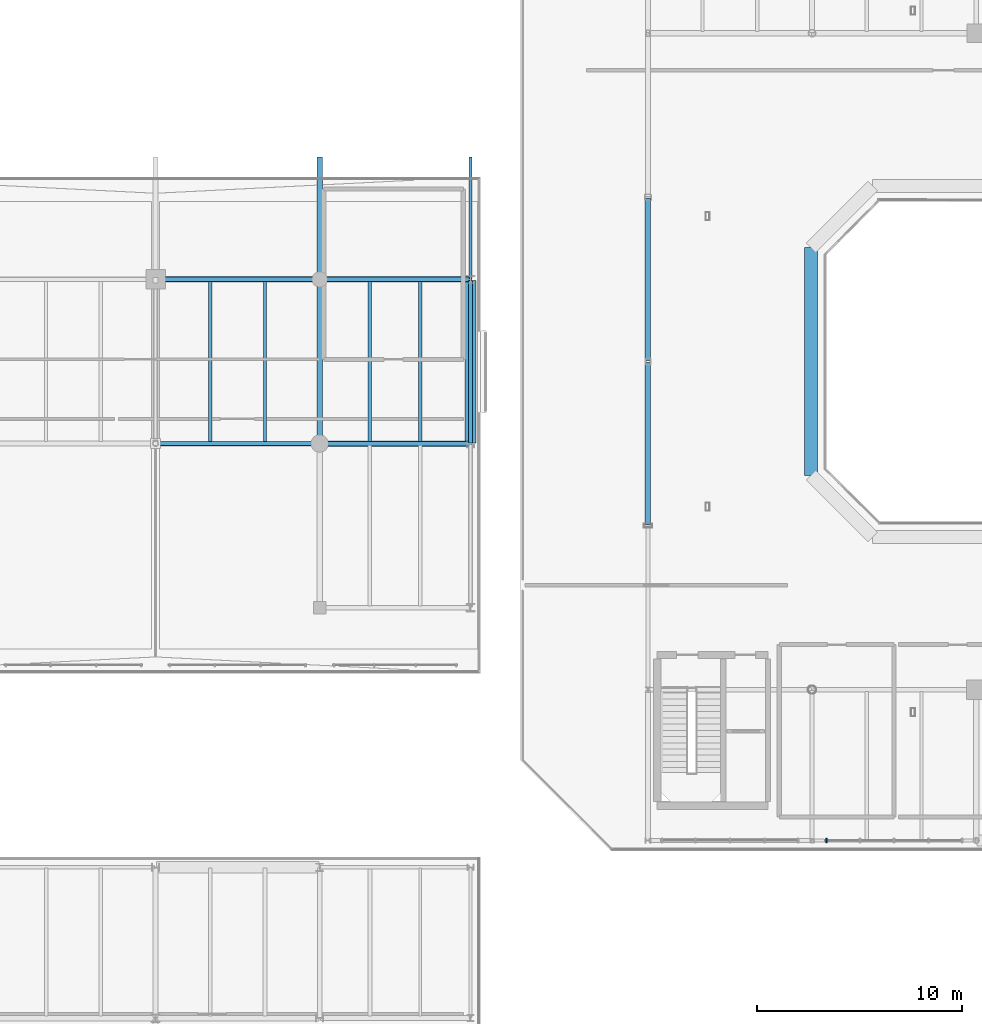
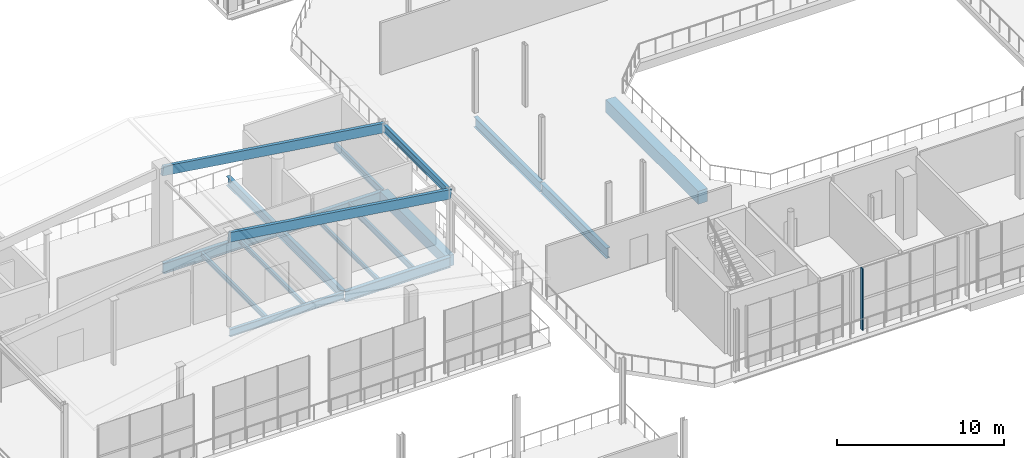
# One storey, part 27 of 70: 16 beams, 3 members, 1 element without a shape of its own.
"""IFC4 building model written with IfcOpenShell, lengths in metres."""

import ifcopenshell
import ifcopenshell.guid

model = None  # the IFC model being written
_history = None  # IfcOwnerHistory: only IFC2X3 demands one
_inside = {}  # id of a spatial element -> (the spatial element, [elements in it])
_under = {}  # id of a project, library or spatial element -> (it, [spatial elements below it])
_declared = {}  # id of a project -> (the project, [libraries it declares])
_typed = {}  # id of a type object -> (the type object, [elements of that type])
_made_of = {}  # id of a material, layer set ... -> (it, [elements and type objects made of it])


def new_model(schema):
    """Start an empty IFC model of exactly this schema.

    Asked for "IFC4X3", IfcOpenShell would pick the latest addendum, in which some entities
    have other attributes; the version numbers below select the first issue.
    IFC2X3 requires an IfcOwnerHistory on every rooted entity: one is made here for all.
    """
    global model, _history
    if schema == "IFC4X3":
        model = ifcopenshell.file(schema_version=(4, 3, 0, 0))
    else:
        model = ifcopenshell.file(schema=schema)
    _inside.clear()
    _under.clear()
    _declared.clear()
    _typed.clear()
    _made_of.clear()
    _history = None
    if model.schema == "IFC2X3":
        org = make("IfcOrganization", Name="unknown")
        user = make(
            "IfcPersonAndOrganization",
            ThePerson=make("IfcPerson", FamilyName="unknown"),
            TheOrganization=org,
        )
        app = make(
            "IfcApplication",
            ApplicationDeveloper=org,
            Version="unknown",
            ApplicationFullName="unknown",
            ApplicationIdentifier="unknown",
        )
        _history = make(
            "IfcOwnerHistory",
            OwningUser=user,
            OwningApplication=app,
            ChangeAction="ADDED",
            CreationDate=0,
        )
    return model


def make(cls, **values):
    """One entity of the class cls with the attributes given. An attribute that is None is left unset."""
    return model.create_entity(
        cls, **{name: value for name, value in values.items() if value is not None}
    )


def rooted(cls, **values):
    """An entity with a GlobalId (a new one), such as an element, a storey or a relation."""
    return make(cls, GlobalId=ifcopenshell.guid.new(), OwnerHistory=_history, **values)


def si_unit(unit_type, name, prefix=None):
    """IfcSIUnit, for example si_unit("LENGTHUNIT", "METRE", prefix="MILLI")."""
    return make("IfcSIUnit", UnitType=unit_type, Prefix=prefix, Name=name)


def assignment(units):
    """IfcUnitAssignment: the units of a project."""
    return None if units is None else make("IfcUnitAssignment", Units=units)


def point(xyz):
    """IfcCartesianPoint."""
    return None if xyz is None else make("IfcCartesianPoint", Coordinates=xyz)


def direction(xyz):
    """IfcDirection."""
    return None if xyz is None else make("IfcDirection", DirectionRatios=xyz)


def frame(location, z_axis=None, x_axis=None):
    """IfcAxis2Placement3D, a coordinate frame: its origin and axes. An axis left out is left unset."""
    return make(
        "IfcAxis2Placement3D",
        Location=point(location),
        Axis=direction(z_axis),
        RefDirection=direction(x_axis),
    )


def frame_2d(location, x_axis=None):
    """IfcAxis2Placement2D, a coordinate frame in the plane: its origin and x axis."""
    return make(
        "IfcAxis2Placement2D", Location=point(location), RefDirection=direction(x_axis)
    )


def origin():
    """The frame at (0, 0, 0) with its axes left unset."""
    return frame((0.0, 0.0, 0.0))


def origin_2d():
    """The frame at (0, 0) in the plane with its x axis left unset."""
    return frame_2d((0.0, 0.0))


def place(relative_to, where):
    """IfcLocalPlacement: puts the frame where relative to a parent placement (None: the world)."""
    return make(
        "IfcLocalPlacement", PlacementRelTo=relative_to, RelativePlacement=where
    )


def context(
    kind, dimensions, precision=None, world=None, true_north=None, identifier=None
):
    """IfcGeometricRepresentationContext, for example the 3D "Model" context."""
    return make(
        "IfcGeometricRepresentationContext",
        ContextIdentifier=identifier,
        ContextType=kind,
        CoordinateSpaceDimension=dimensions,
        Precision=precision,
        WorldCoordinateSystem=world,
        TrueNorth=true_north,
    )


def subcontext(parent, identifier, kind, view, scale=None):
    """IfcGeometricRepresentationSubContext, for example "Body" below "Model"."""
    return make(
        "IfcGeometricRepresentationSubContext",
        ContextIdentifier=identifier,
        ContextType=kind,
        ParentContext=parent,
        TargetScale=scale,
        TargetView=view,
    )


def project(units=None, contexts=None):
    """IfcProject with its units and contexts."""
    return rooted(
        "IfcProject",
        Name="project",
        RepresentationContexts=contexts,
        UnitsInContext=assignment(units),
    )


def spatial(cls, under=None, at=None, **own):
    """A site, building, storey or space (cls), placed at a placement, below another one or the project."""
    s = rooted(cls, ObjectPlacement=at, **own)
    if under is not None:
        _under.setdefault(under.id(), (under, []))[1].append(s)
    return s


def profile(cls, at=None, kind="AREA", **sizes):
    """A parametric profile (cls). Its sizes go by their IFC names, for example OverallWidth=200.0."""
    return make(cls, ProfileType=kind, Position=at, **sizes)


def rectangle(**sizes):
    """IfcRectangleProfileDef."""
    return profile("IfcRectangleProfileDef", **sizes)


def i_section(**sizes):
    """IfcIShapeProfileDef."""
    return profile("IfcIShapeProfileDef", **sizes)


def extrude(swept, where, along, depth):
    """IfcExtrudedAreaSolid: the profile swept, set in the frame where, extruded along a direction by depth."""
    return make(
        "IfcExtrudedAreaSolid",
        SweptArea=swept,
        Position=where,
        ExtrudedDirection=direction(along),
        Depth=depth,
    )


def shape(context_of_items, identifier, shape_type, items):
    """IfcShapeRepresentation: the items that make up one representation, for example the "Body"."""
    return make(
        "IfcShapeRepresentation",
        ContextOfItems=context_of_items,
        RepresentationIdentifier=identifier,
        RepresentationType=shape_type,
        Items=items,
    )


def material(Name=None, Category=None):
    """IfcMaterial."""
    return make("IfcMaterial", Name=Name, Category=Category)


def material_profile(
    of_material, cross_section, Name=None, Category=None, Priority=None
):
    """IfcMaterialProfile: a cross section and its material."""
    return make(
        "IfcMaterialProfile",
        Name=Name,
        Material=of_material,
        Profile=cross_section,
        Priority=Priority,
        Category=Category,
    )


def profile_set(profiles, Name=None, composite=None):
    """IfcMaterialProfileSet."""
    return make(
        "IfcMaterialProfileSet",
        Name=Name,
        MaterialProfiles=profiles,
        CompositeProfile=composite,
    )


def made_of(thing, what):
    """Note that an element or type object is made of a material, layer set ...; save() writes the relation."""
    if what is not None:
        _made_of.setdefault(what.id(), (what, []))[1].append(thing)
    return thing


def type_object(cls, material=None, **own):
    """A type object (cls), such as IfcWallType, which elements share."""
    return made_of(rooted(cls, **own), material)


def element(
    cls,
    number,
    at=None,
    inside=None,
    cuts=None,
    type_object=None,
    material=None,
    context=None,
    identifier="Body",
    shape_type=None,
    held_by="IfcProductDefinitionShape",
    body=None,
    shapes=None,
    **own,
):
    """One element of the class cls, such as IfcWall. Its Tag is "e" and its number.

    at: its placement. inside: the storey or other place that contains it. cuts: it is an
    opening in that element (IfcRelVoidsElement). A single representation is given by context,
    identifier, shape_type and body (its items); several are given by shapes. held_by: the class
    of the entity that holds the representations. save() writes the other relations.
    """
    e = rooted(cls, Tag="e%d" % number, ObjectPlacement=at, **own)
    if body is not None:
        shapes = [shape(context, identifier, shape_type, body)]
    if shapes is not None:
        e.Representation = make(held_by, Representations=shapes)
    if inside is not None:
        _inside.setdefault(inside.id(), (inside, []))[1].append(e)
    if cuts is not None:
        rooted(
            "IfcRelVoidsElement", RelatingBuildingElement=cuts, RelatedOpeningElement=e
        )
    if type_object is not None:
        _typed.setdefault(type_object.id(), (type_object, []))[1].append(e)
    return made_of(e, material)


def aggregate(whole, parts):
    """IfcRelAggregates: a whole, such as a stair, and the parts it consists of."""
    return rooted("IfcRelAggregates", RelatingObject=whole, RelatedObjects=parts)


def save(model, path):
    """Write the relations noted so far, then the file.

    IfcRelAggregates (storeys below a building ...), IfcRelContainedInSpatialStructure (elements
    in a storey), IfcRelDefinesByType, IfcRelAssociatesMaterial and IfcRelDeclares: one each for
    every whole, place, type object, material and project.
    """
    for whole, parts in _under.values():
        aggregate(whole, parts)
    for where, things in _inside.values():
        rooted(
            "IfcRelContainedInSpatialStructure",
            RelatedElements=things,
            RelatingStructure=where,
        )
    for kind, things in _typed.values():
        rooted("IfcRelDefinesByType", RelatedObjects=things, RelatingType=kind)
    for what, things in _made_of.values():
        rooted("IfcRelAssociatesMaterial", RelatedObjects=things, RelatingMaterial=what)
    for by, libraries in _declared.values():
        rooted("IfcRelDeclares", RelatingContext=by, RelatedDefinitions=libraries)
    model.write(path)


model = new_model("IFC4")

# Units and contexts
model_context = context("Model", 3, precision=1e-05, world=origin(), true_north=direction((0.0, 1.0)))
body_context = subcontext(model_context, "Body", "Model", "MODEL_VIEW")
ifc_project = project(units=[si_unit("LENGTHUNIT", "METRE"), si_unit("AREAUNIT", "SQUARE_METRE"), si_unit("VOLUMEUNIT", "CUBIC_METRE"), si_unit("PLANEANGLEUNIT", "RADIAN"), si_unit("MASSUNIT", "GRAM", prefix="KILO")], contexts=[model_context])

# Site, building, storey
site_placement = place(None, origin())
site = spatial("IfcSite", under=ifc_project, at=site_placement, CompositionType="ELEMENT")
building_placement = place(site_placement, origin())
building = spatial("IfcBuilding", under=site, at=building_placement, Name="Brisemont Oceanarium", CompositionType="ELEMENT")
storey_placement = place(building_placement, frame((0.0, 0.0, 10.199951171875)))
storey = spatial("IfcBuildingStorey", under=building, at=storey_placement, Name="L02", CompositionType="ELEMENT", Elevation=10.199951171875)

# Beams
ifc_material_1 = material(Name="Concrete C40/50", Category="concrete")
ifc_material_profile_1 = material_profile(ifc_material_1, rectangle(XDim=0.550048828125, YDim=0.800048828125, at=origin_2d()), Name="RC-BM-550X800")
ifc_profile_set_1 = profile_set([ifc_material_profile_1], Name="Concrete C40/50")
beam_type_1 = type_object("IfcBeamType", Name="BM-RC550X800", PredefinedType="SPANDREL", material=ifc_profile_set_1)
beam_1_placement = place(storey_placement, frame((55.35009765625, 52.0400390625, -0.659912109375), z_axis=(0.0, 1.0, 0.0), x_axis=(-1.0, 0.0, 0.0)))
element("IfcBeam", 1, at=beam_1_placement, inside=storey, type_object=beam_type_1, Name="V5W L02 NS girder", PredefinedType="SPANDREL", context=body_context, shape_type="SweptSolid", body=[
    extrude(rectangle(XDim=0.550048828125, YDim=0.800048828125, at=origin_2d()), origin(), (0.0, 0.0, 1.0), 7.919921875),
])
ifc_material_2 = material(Name="Concrete C40/50", Category="concrete")
ifc_material_profile_2 = material_profile(ifc_material_2, rectangle(XDim=0.64990234375, YDim=0.949951171875, at=origin_2d()), Name="RC-BM-650X950")
ifc_profile_set_2 = profile_set([ifc_material_profile_2], Name="Concrete C40/50")
beam_type_2 = type_object("IfcBeamType", Name="BM-RC650X950", PredefinedType="BEAM", material=ifc_profile_set_2)
beam_2_placement = place(storey_placement, frame((71.949951171875, 61.550048828125, -0.780029296875), z_axis=(0.0, -1.0, 0.0), x_axis=(1.0, 0.0, 0.0)))
element("IfcBeam", 2, at=beam_2_placement, inside=storey, type_object=beam_type_2, Name="V4 Ocean Tank ring beam 7", PredefinedType="BEAM", context=body_context, shape_type="SweptSolid", body=[
    extrude(rectangle(XDim=0.64990234375, YDim=0.949951171875, at=origin_2d()), origin(), (0.0, 0.0, 1.0), 11.10009765625),
])
ifc_material_3 = material(Name="Structural Steel ASTM A992 Gr.50", Category="steel")
ifc_material_profile_3 = material_profile(ifc_material_3, i_section(OverallWidth=0.1650390625, OverallDepth=0.31005859375, WebThickness=0.005859375, FlangeThickness=0.009765625, FilletRadius=0.008056640625, at=origin_2d()), Name="W12X26")
ifc_profile_set_3 = profile_set([ifc_material_profile_3], Name="Structural Steel ASTM A992 Gr.50")
beam_type_3 = type_object("IfcBeamType", Name="BM-W12X26", PredefinedType="JOIST", material=ifc_profile_set_3)
for number, where, z_axis, x_axis, name in (
    (3, (45.333251953125, 52.090087890625, -0.4150390625), (0.0, 1.0, 0.0), (-1.0, 0.0, 0.0), "V5W L02 secondary floor beam"),
    (4, (50.449951171875, 52.090087890625, -0.4150390625), (0.0, 1.0, 0.0), (-1.0, 0.0, 0.0), "V5W L02 secondary floor beam"),
):
    element("IfcBeam", number, at=place(storey_placement, frame(where, z_axis=z_axis, x_axis=x_axis)), inside=storey, type_object=beam_type_3, Name=name, PredefinedType="JOIST", context=body_context, shape_type="SweptSolid", body=[
        extrude(i_section(OverallWidth=0.1650390625, OverallDepth=0.31005859375, WebThickness=0.005859375, FlangeThickness=0.009765625, FilletRadius=0.008056640625, at=origin_2d()), origin(), (0.0, 0.0, 1.0), 7.81982421875),
    ])
ifc_material_4 = material(Name="Structural Steel ASTM A992 Gr.50", Category="steel")
ifc_material_profile_4 = material_profile(ifc_material_4, i_section(OverallWidth=0.1708984375, OverallDepth=0.35107421875, WebThickness=0.0068359375, FlangeThickness=0.009765625, FilletRadius=0.010009765625, at=origin_2d()), Name="W14X30")
ifc_profile_set_4 = profile_set([ifc_material_profile_4], Name="Structural Steel ASTM A992 Gr.50")
beam_type_4 = type_object("IfcBeamType", Name="BM-W14X30", PredefinedType="JOIST", material=ifc_profile_set_4)
beam_3_placement = place(storey_placement, frame((42.666748046875, 52.090087890625, -0.435546875), z_axis=(0.0, 1.0, 0.0), x_axis=(-1.0, 0.0, 0.0)))
element("IfcBeam", 5, at=beam_3_placement, inside=storey, type_object=beam_type_4, Name="V5W L02 secondary floor beam", PredefinedType="JOIST", context=body_context, shape_type="SweptSolid", body=[
    extrude(i_section(OverallWidth=0.1708984375, OverallDepth=0.35107421875, WebThickness=0.0068359375, FlangeThickness=0.009765625, FilletRadius=0.010009765625, at=origin_2d()), origin(), (0.0, 0.0, 1.0), 7.81982421875),
])
ifc_material_5 = material(Name="Structural Steel ASTM A992 Gr.50", Category="steel")
ifc_material_profile_5 = material_profile(ifc_material_5, i_section(OverallWidth=0.153076171875, OverallDepth=0.455078125, WebThickness=0.008056640625, FlangeThickness=0.01318359375, FilletRadius=0.010986328125, at=origin_2d()), Name="W18X40")
ifc_profile_set_5 = profile_set([ifc_material_profile_5], Name="Structural Steel ASTM A992 Gr.50")
beam_type_5 = type_object("IfcBeamType", Name="BM-W18X40", PredefinedType="JOIST", material=ifc_profile_set_5)
beam_4_placement = place(storey_placement, frame((52.89990234375, 52.090087890625, -0.487548828125), z_axis=(0.0, 1.0, 0.0), x_axis=(-1.0, 0.0, 0.0)))
element("IfcBeam", 6, at=beam_4_placement, inside=storey, type_object=beam_type_5, Name="V5W L02 secondary floor beam", PredefinedType="JOIST", context=body_context, shape_type="SweptSolid", body=[
    extrude(i_section(OverallWidth=0.153076171875, OverallDepth=0.455078125, WebThickness=0.008056640625, FlangeThickness=0.01318359375, FilletRadius=0.010986328125, at=origin_2d()), origin(), (0.0, 0.0, 1.0), 7.81982421875),
])
ifc_material_6 = material(Name="Structural Steel ASTM A992 Gr.50", Category="steel")
ifc_material_profile_6 = material_profile(ifc_material_6, i_section(OverallWidth=0.166015625, OverallDepth=0.528076171875, WebThickness=0.009765625, FlangeThickness=0.013671875, FilletRadius=0.012939453125, at=origin_2d()), Name="W21X50")
ifc_profile_set_6 = profile_set([ifc_material_profile_6], Name="Structural Steel ASTM A992 Gr.50")
beam_type_6 = type_object("IfcBeamType", Name="BM-W21X50", PredefinedType="SPANDREL", material=ifc_profile_set_6)
beam_5_placement = place(storey_placement, frame((55.35009765625, 60.0400390625, -0.52392578125), z_axis=(0.0, 1.0, 0.0), x_axis=(-1.0, 0.0, 0.0)))
element("IfcBeam", 7, at=beam_5_placement, inside=storey, type_object=beam_type_6, Name="V5W L02 NS girder", PredefinedType="SPANDREL", context=body_context, shape_type="SweptSolid", body=[
    extrude(i_section(OverallWidth=0.166015625, OverallDepth=0.528076171875, WebThickness=0.009765625, FlangeThickness=0.013671875, FilletRadius=0.012939453125, at=origin_2d()), origin(), (0.0, 0.0, 1.0), 5.919921875),
])
ifc_material_7 = material(Name="Structural Steel ASTM A992 Gr.50", Category="steel")
ifc_material_profile_7 = material_profile(ifc_material_7, i_section(OverallWidth=0.2099609375, OverallDepth=0.532958984375, WebThickness=0.01025390625, FlangeThickness=0.015625, FilletRadius=0.012939453125, at=origin_2d()), Name="W21X62")
ifc_profile_set_7 = profile_set([ifc_material_profile_7], Name="Structural Steel ASTM A992 Gr.50")
beam_type_7 = type_object("IfcBeamType", Name="BM-W21X62", PredefinedType="BEAM", material=ifc_profile_set_7)
for number, where, z_axis, x_axis, name in (
    (8, (40.0400390625, 52.0, -0.5263671875), (1.0, 0.0, 0.0), (0.0, 1.0, 0.0), "V5W L02 EW girder"),
    (9, (55.35009765625, 52.0400390625, 4.33349609375), (0.0, 1.0, 0.0), (-1.0, 0.0, 0.0), "V5W NS roof eave girder"),
):
    element("IfcBeam", number, at=place(storey_placement, frame(where, z_axis=z_axis, x_axis=x_axis)), inside=storey, type_object=beam_type_7, Name=name, PredefinedType="BEAM", context=body_context, shape_type="SweptSolid", body=[
        extrude(i_section(OverallWidth=0.2099609375, OverallDepth=0.532958984375, WebThickness=0.01025390625, FlangeThickness=0.015625, FilletRadius=0.012939453125, at=origin_2d()), origin(), (0.0, 0.0, 1.0), 7.919921875),
    ])
ifc_material_8 = material(Name="Structural Steel ASTM A992 Gr.50", Category="steel")
ifc_material_profile_8 = material_profile(ifc_material_8, i_section(OverallWidth=0.2529296875, OverallDepth=0.677978515625, WebThickness=0.01171875, FlangeThickness=0.016357421875, FilletRadius=0.014892578125, at=origin_2d()), Name="W27X84")
ifc_profile_set_8 = profile_set([ifc_material_profile_8], Name="Structural Steel ASTM A992 Gr.50")
beam_type_8 = type_object("IfcBeamType", Name="BM-W27X84", PredefinedType="BEAM", material=ifc_profile_set_8)
beam_6_placement = place(storey_placement, frame((48.0, 60.0400390625, -0.598876953125), z_axis=(0.0, 1.0, 0.0), x_axis=(-1.0, 0.0, 0.0)))
element("IfcBeam", 10, at=beam_6_placement, inside=storey, type_object=beam_type_8, Name="V5W L02 NS girder", PredefinedType="BEAM", context=body_context, shape_type="SweptSolid", body=[
    extrude(i_section(OverallWidth=0.2529296875, OverallDepth=0.677978515625, WebThickness=0.01171875, FlangeThickness=0.016357421875, FilletRadius=0.014892578125, at=origin_2d()), origin(), (0.0, 0.0, 1.0), 5.919921875),
])
ifc_material_9 = material(Name="Structural Steel ASTM A992 Gr.50", Category="steel")
ifc_material_profile_9 = material_profile(ifc_material_9, i_section(OverallWidth=0.25390625, OverallDepth=0.68310546875, WebThickness=0.012451171875, FlangeThickness=0.018798828125, FilletRadius=0.014892578125, at=origin_2d()), Name="W27X94")
ifc_profile_set_9 = profile_set([ifc_material_profile_9], Name="Structural Steel ASTM A992 Gr.50")
beam_type_9 = type_object("IfcBeamType", Name="BM-W27X94", PredefinedType="BEAM", material=ifc_profile_set_9)
beam_7_placement = place(storey_placement, frame((48.0, 52.0400390625, -0.6015625), z_axis=(0.0, 1.0, 0.0), x_axis=(-1.0, 0.0, 0.0)))
element("IfcBeam", 11, at=beam_7_placement, inside=storey, type_object=beam_type_9, Name="V5W L02 NS girder", PredefinedType="BEAM", context=body_context, shape_type="SweptSolid", body=[
    extrude(i_section(OverallWidth=0.25390625, OverallDepth=0.68310546875, WebThickness=0.012451171875, FlangeThickness=0.018798828125, FilletRadius=0.014892578125, at=origin_2d()), origin(), (0.0, 0.0, 1.0), 7.919921875),
])
ifc_material_10 = material(Name="Structural Steel ASTM A992 Gr.50", Category="steel")
ifc_material_profile_10 = material_profile(ifc_material_10, i_section(OverallWidth=0.26708984375, OverallDepth=0.761962890625, WebThickness=0.014404296875, FlangeThickness=0.021484375, FilletRadius=0.01611328125, at=origin_2d()), Name="W30X116")
ifc_profile_set_10 = profile_set([ifc_material_profile_10], Name="Structural Steel ASTM A992 Gr.50")
beam_type_10 = type_object("IfcBeamType", Name="BM-W30X116", PredefinedType="BEAM", material=ifc_profile_set_10)
beam_8_placement = place(storey_placement, frame((64.0, 48.0400390625, -0.680908203125), z_axis=(0.0, 1.0, 0.0), x_axis=(-1.0, 0.0, 0.0)))
element("IfcBeam", 12, at=beam_8_placement, inside=storey, type_object=beam_type_10, Name="V1 L02 NS girder", PredefinedType="BEAM", context=body_context, shape_type="SweptSolid", body=[
    extrude(i_section(OverallWidth=0.26708984375, OverallDepth=0.761962890625, WebThickness=0.014404296875, FlangeThickness=0.021484375, FilletRadius=0.01611328125, at=origin_2d()), origin(), (0.0, 0.0, 1.0), 7.919921875),
])
beam_9_placement = place(storey_placement, frame((48.0400390625, 52.0, -0.640869140625), z_axis=(1.0, 0.0, 0.0), x_axis=(0.0, 1.0, 0.0)))
element("IfcBeam", 13, at=beam_9_placement, inside=storey, type_object=beam_type_10, Name="V5W L02 EW girder", PredefinedType="BEAM", context=body_context, shape_type="SweptSolid", body=[
    extrude(i_section(OverallWidth=0.26708984375, OverallDepth=0.761962890625, WebThickness=0.014404296875, FlangeThickness=0.021484375, FilletRadius=0.01611328125, at=origin_2d()), origin(), (0.0, 0.0, 1.0), 7.27001953125),
])
beam_10_placement = place(storey_placement, frame((40.0400390625, 60.0, -0.640869140625), z_axis=(1.0, 0.0, 0.0), x_axis=(0.0, 1.0, 0.0)))
element("IfcBeam", 14, at=beam_10_placement, inside=storey, type_object=beam_type_10, Name="V5W L02 EW girder", PredefinedType="BEAM", context=body_context, shape_type="SweptSolid", body=[
    extrude(i_section(OverallWidth=0.26708984375, OverallDepth=0.761962890625, WebThickness=0.014404296875, FlangeThickness=0.021484375, FilletRadius=0.01611328125, at=origin_2d()), origin(), (0.0, 0.0, 1.0), 7.919921875),
])
ifc_material_11 = material(Name="Structural Steel ASTM A992 Gr.50", Category="steel")
ifc_material_profile_11 = material_profile(ifc_material_11, i_section(OverallWidth=0.264892578125, OverallDepth=0.7529296875, WebThickness=0.01318359375, FlangeThickness=0.01708984375, FilletRadius=0.01611328125, at=origin_2d()), Name="W30X99")
ifc_profile_set_11 = profile_set([ifc_material_profile_11], Name="Structural Steel ASTM A992 Gr.50")
beam_type_11 = type_object("IfcBeamType", Name="BM-W30X99", PredefinedType="BEAM", material=ifc_profile_set_11)
beam_11_placement = place(storey_placement, frame((64.0, 56.0400390625, -0.676513671875), z_axis=(0.0, 1.0, 0.0), x_axis=(-1.0, 0.0, 0.0)))
element("IfcBeam", 15, at=beam_11_placement, inside=storey, type_object=beam_type_11, Name="V1 L02 NS girder", PredefinedType="BEAM", context=body_context, shape_type="SweptSolid", body=[
    extrude(i_section(OverallWidth=0.264892578125, OverallDepth=0.7529296875, WebThickness=0.01318359375, FlangeThickness=0.01708984375, FilletRadius=0.01611328125, at=origin_2d()), origin(), (0.0, 0.0, 1.0), 7.919921875),
])
beam_12_placement = place(storey_placement, frame((48.0400390625, 60.0, -0.636474609375), z_axis=(1.0, 0.0, 0.0), x_axis=(0.0, 1.0, 0.0)))
element("IfcBeam", 16, at=beam_12_placement, inside=storey, type_object=beam_type_11, Name="V5W L02 EW girder", PredefinedType="BEAM", context=body_context, shape_type="SweptSolid", body=[
    extrude(i_section(OverallWidth=0.264892578125, OverallDepth=0.7529296875, WebThickness=0.01318359375, FlangeThickness=0.01708984375, FilletRadius=0.01611328125, at=origin_2d()), origin(), (0.0, 0.0, 1.0), 7.27001953125),
])

# Curtain wall, member
ifc_material_12 = material(Name="Anodized Extruded Aluminum 6063-T6", Category="aluminium")
curtain_wall_type = type_object("IfcCurtainWallType", Name="CW-ROT-69X45", PredefinedType="NOTDEFINED", material=ifc_material_12)
curtain_wall_placement = place(storey_placement, origin())
curtain_wall = element("IfcCurtainWall", 17, at=curtain_wall_placement, inside=storey, type_object=curtain_wall_type, Name="CW-02 curtain wall CW-V1-S-L02-02", PredefinedType="NOTDEFINED")
ifc_material_13 = material(Name="Anodized Extruded Aluminum 6063-T6", Category="aluminium")
ifc_material_profile_12 = material_profile(ifc_material_13, rectangle(XDim=0.074951171875, YDim=0.219970703125, at=origin_2d()), Name="CWM-75X220")
ifc_profile_set_12 = profile_set([ifc_material_profile_12], Name="Anodized Extruded Aluminum 6063-T6")
member_type_1 = type_object("IfcMemberType", Name="MEM-CWM-75", PredefinedType="MULLION", material=ifc_profile_set_12)
member_placement = place(storey_placement, frame((72.695068359375, 32.64990234375, 0.0), z_axis=(0.0, 0.0, 1.0), x_axis=(1.0, 0.0, 0.0)))
member = element("IfcMember", 18, at=member_placement, type_object=member_type_1, Name="CW-V1-S-L02-02 mullion 1", PredefinedType="MULLION", context=body_context, shape_type="SweptSolid", body=[
    extrude(rectangle(XDim=0.074951171875, YDim=0.219970703125, at=origin_2d()), origin(), (0.0, 0.0, 1.0), 4.52001953125),
])
aggregate(curtain_wall, [member])

# Members
ifc_material_14 = material(Name="Glulam Timber 24F-V4 DF", Category="wood")
ifc_material_profile_13 = material_profile(ifc_material_14, rectangle(XDim=0.221923828125, YDim=0.68603515625, at=origin_2d()), Name="GL-222X686")
ifc_profile_set_13 = profile_set([ifc_material_profile_13], Name="Glulam Timber 24F-V4 DF")
member_type_2 = type_object("IfcMemberType", Name="MEM-RF-GL222", PredefinedType="RAFTER", material=ifc_profile_set_13)
for number, where, z_axis, x_axis, name in (
    (19, (55.35009765625, 52.0, 4.320068359375), (-0.989885472082, 0.0, 0.141868785013), (0.0, -1.0, 0.0), "V5W pitched roof rafter 1B"),
    (20, (55.35009765625, 60.0, 4.320068359375), (-0.989885472082, 0.0, 0.141868785013), (0.0, -1.0, 0.0), "V5W pitched roof rafter 2B"),
):
    element("IfcMember", number, at=place(storey_placement, frame(where, z_axis=z_axis, x_axis=x_axis)), inside=storey, type_object=member_type_2, Name=name, PredefinedType="RAFTER", context=body_context, shape_type="SweptSolid", body=[
        extrude(rectangle(XDim=0.221923828125, YDim=0.68603515625, at=origin_2d()), origin(), (0.0, 0.0, 1.0), 15.5068359375),
    ])

save(model, "model.ifc")
